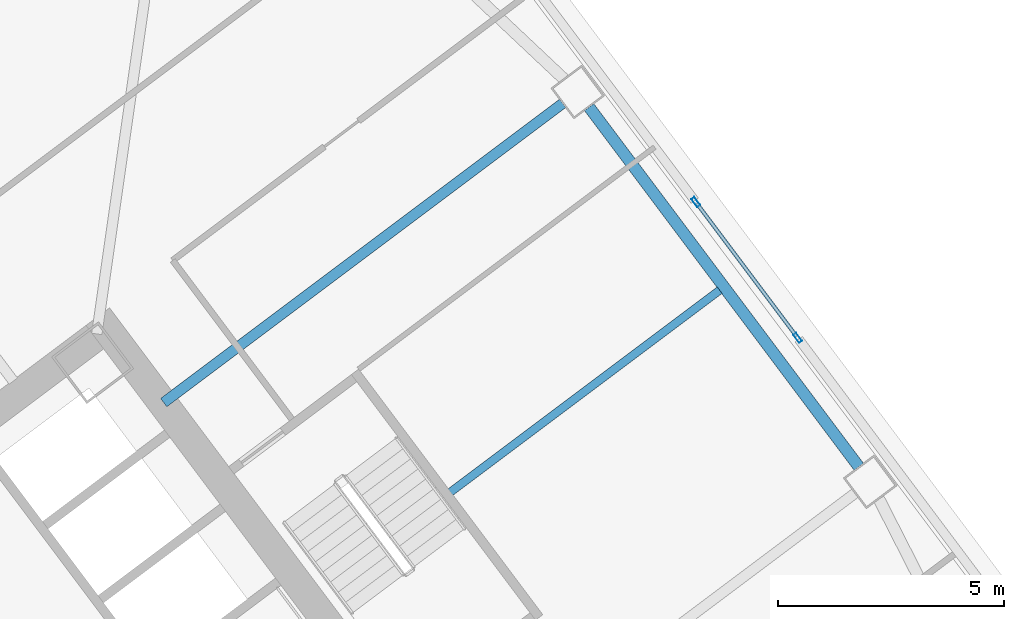
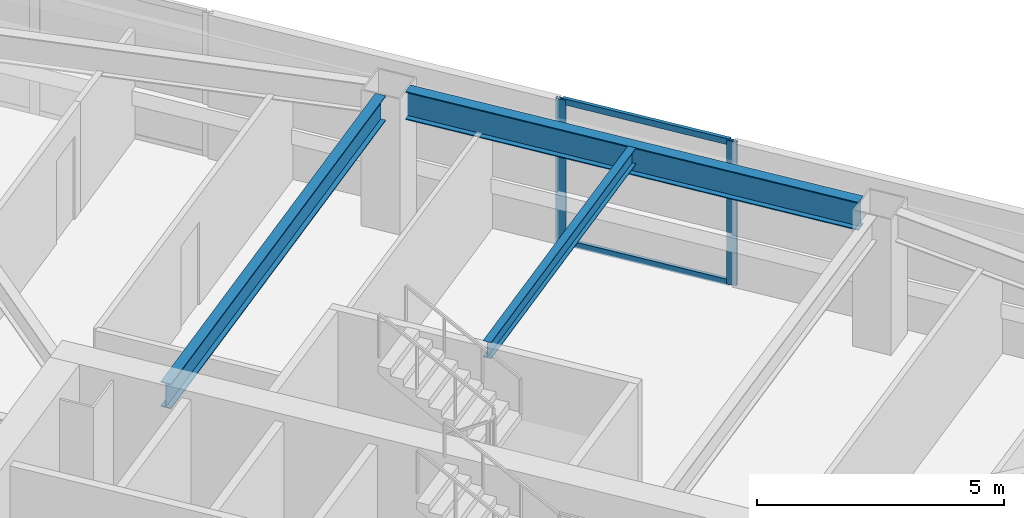
# One storey, part 29 of 44: 4 members, 3 beams, 1 element without a shape of its own.
"""IFC4 building model written with IfcOpenShell, lengths in metres."""

from ifc_helpers import new_model, si_unit, direction, frame, origin, origin_2d, place, context, subcontext, project, spatial, hollow_rectangle, i_section, extrude, material, material_profile, profile_set, type_object, element, aggregate, save


model = new_model("IFC4")

# Units and contexts
model_context = context("Model", 3, precision=1e-05, world=origin(), true_north=direction((0.0, 1.0)))
body_context = subcontext(model_context, "Body", "Model", "MODEL_VIEW")
ifc_project = project(units=[si_unit("LENGTHUNIT", "METRE"), si_unit("AREAUNIT", "SQUARE_METRE"), si_unit("VOLUMEUNIT", "CUBIC_METRE"), si_unit("PLANEANGLEUNIT", "RADIAN"), si_unit("MASSUNIT", "GRAM", prefix="KILO")], contexts=[model_context])

# Site, building, storey
site_placement = place(None, origin())
site = spatial("IfcSite", under=ifc_project, at=site_placement, CompositionType="ELEMENT")
building_placement = place(site_placement, origin())
building = spatial("IfcBuilding", under=site, at=building_placement, Name="Tashvorn Skyway Center", CompositionType="ELEMENT")
storey_placement = place(building_placement, frame((0.0, 0.0, 95.60009765625)))
storey = spatial("IfcBuildingStorey", under=building, at=storey_placement, Name="L25", CompositionType="ELEMENT", Elevation=95.60009765625)

# Beams
ifc_material_1 = material(Name="Steel ASTM A992 Grade 50", Category="steel")
ifc_material_profile_1 = material_profile(ifc_material_1, i_section(OverallWidth=0.22998046875, OverallDepth=0.616943359375, WebThickness=0.01318359375, FlangeThickness=0.022216796875, at=origin_2d()), Name="W24X94")
ifc_profile_set_1 = profile_set([ifc_material_profile_1], Name="Steel ASTM A992 Grade 50")
beam_type_1 = type_object("IfcBeamType", Name="BM-BEAM-W24X94", PredefinedType="BEAM", material=ifc_profile_set_1)
beam_1_placement = place(storey_placement, frame((125.823974609375, 47.617919921875, 3.04150390625), z_axis=(-0.800007953832, -0.599989394744, 0.0), x_axis=(0.599989394744, -0.800007953832, 0.0)))
element("IfcBeam", 1, at=beam_1_placement, inside=storey, type_object=beam_type_1, Name="Tower 2 L25 Primary Floor Girder FC-E2", PredefinedType="BEAM", context=body_context, shape_type="SweptSolid", body=[
    extrude(i_section(OverallWidth=0.22998046875, OverallDepth=0.616943359375, WebThickness=0.01318359375, FlangeThickness=0.022216796875, at=origin_2d()), origin(), (0.0, 0.0, 1.0), 11.050048828125),
])
ifc_material_profile_2 = material_profile(ifc_material_1, i_section(OverallWidth=0.177978515625, OverallDepth=0.406005859375, WebThickness=0.0078125, FlangeThickness=0.0126953125, at=origin_2d()), Name="W16X40")
ifc_profile_set_2 = profile_set([ifc_material_profile_2], Name="Steel ASTM A992 Grade 50")
beam_type_2 = type_object("IfcBeamType", Name="BM-JOIST-W16X40", PredefinedType="JOIST", material=ifc_profile_set_2)
beam_2_placement = place(storey_placement, frame((123.3359375, 39.001953125, 3.14697265625), z_axis=(0.799996072819, 0.600005236206, 0.0), x_axis=(-0.600005236206, 0.799996072819, 0.0)))
element("IfcBeam", 2, at=beam_2_placement, inside=storey, type_object=beam_type_2, Name="Tower 2 L25 Secondary Composite Joist JE", PredefinedType="JOIST", context=body_context, shape_type="SweptSolid", body=[
    extrude(i_section(OverallWidth=0.177978515625, OverallDepth=0.406005859375, WebThickness=0.0078125, FlangeThickness=0.0126953125, at=origin_2d()), origin(), (0.0, 0.0, 1.0), 7.4599609375),
])
ifc_material_profile_3 = material_profile(ifc_material_1, i_section(OverallWidth=0.256103515625, OverallDepth=0.693115234375, WebThickness=0.014404296875, FlangeThickness=0.023681640625, at=origin_2d()), Name="W27X114")
ifc_profile_set_3 = profile_set([ifc_material_profile_3], Name="Steel ASTM A992 Grade 50")
beam_type_3 = type_object("IfcBeamType", Name="BM-SPANDREL-W27X114", PredefinedType="SPANDREL", material=ifc_profile_set_3)
beam_3_placement = place(storey_placement, frame((132.387939453125, 39.56591796875, 3.00341796875), z_axis=(-0.599988234018, 0.800008824351, 0.0), x_axis=(-0.800008824351, -0.599988234018, 0.0)))
element("IfcBeam", 3, at=beam_3_placement, inside=storey, type_object=beam_type_3, Name="Tower 2 L25 Spandrel Beam 05", PredefinedType="SPANDREL", context=body_context, shape_type="SweptSolid", body=[
    extrude(i_section(OverallWidth=0.256103515625, OverallDepth=0.693115234375, WebThickness=0.014404296875, FlangeThickness=0.023681640625, at=origin_2d()), origin(), (0.0, 0.0, 1.0), 9.9599609375),
])

# Curtain wall, members
ifc_material_2 = material(Name="Thermally broken bronze-anodized aluminium 6063-T6", Category="aluminium")
curtain_wall_type = type_object("IfcCurtainWallType", Name="CW-CW-Z2", PredefinedType="NOTDEFINED", material=ifc_material_2)
curtain_wall_placement = place(storey_placement, origin())
curtain_wall = element("IfcCurtainWall", 4, at=curtain_wall_placement, inside=storey, type_object=curtain_wall_type, Name="Tower 2 L25 East Unitised Curtain Wall Glazing Group 2", PredefinedType="NOTDEFINED")
ifc_material_profile_4 = material_profile(ifc_material_2, hollow_rectangle(XDim=0.080078125, YDim=0.219970703125, WallThickness=0.0048828125, at=origin_2d()), Name="ALU-MULL-80x220")
ifc_profile_set_4 = profile_set([ifc_material_profile_4], Name="Thermally broken bronze-anodized aluminium 6063-T6")
member_type_1 = type_object("IfcMemberType", Name="CWM-CW-Z2", PredefinedType="MULLION", material=ifc_profile_set_4)
member_1_placement = place(storey_placement, frame((128.77587890625, 45.431884765625, 0.0), z_axis=(0.0, 0.0, 1.0), x_axis=(0.799999999998, 0.600000000002, 0.0)))
member_1 = element("IfcMember", 5, at=member_1_placement, type_object=member_type_1, Name="CW-Z2 mullion 1", PredefinedType="MULLION", context=body_context, shape_type="SweptSolid", body=[
    extrude(hollow_rectangle(XDim=0.080078125, YDim=0.219970703125, WallThickness=0.0048828125, at=origin_2d()), origin(), (0.0, 0.0, 1.0), 3.5498046875),
])
member_2_placement = place(storey_placement, frame((131.031982421875, 42.424072265625, 0.0), z_axis=(0.0, 0.0, 1.0), x_axis=(0.799999999998, 0.600000000002, 0.0)))
member_2 = element("IfcMember", 6, at=member_2_placement, type_object=member_type_1, Name="CW-Z2 mullion 2", PredefinedType="MULLION", context=body_context, shape_type="SweptSolid", body=[
    extrude(hollow_rectangle(XDim=0.080078125, YDim=0.219970703125, WallThickness=0.0048828125, at=origin_2d()), origin(), (0.0, 0.0, 1.0), 3.5498046875),
])
ifc_material_profile_5 = material_profile(ifc_material_2, hollow_rectangle(XDim=0.080078125, YDim=0.14990234375, WallThickness=0.00439453125, at=origin_2d()), Name="ALU-TRAN-80x150")
ifc_profile_set_5 = profile_set([ifc_material_profile_5], Name="Thermally broken bronze-anodized aluminium 6063-T6")
member_type_2 = type_object("IfcMemberType", Name="CWT-CW-Z2", PredefinedType="USERDEFINED", material=ifc_profile_set_5)
member_3_placement = place(storey_placement, frame((128.800048828125, 45.39990234375, 0.039794921875), z_axis=(0.600021230084, -0.799984076997, 0.0), x_axis=(0.799984076997, 0.600021230084, 0.0)))
member_3 = element("IfcMember", 7, at=member_3_placement, type_object=member_type_2, Name="CW-Z2 transom 1.1", ObjectType="TRANSOM", PredefinedType="USERDEFINED", context=body_context, shape_type="SweptSolid", body=[
    extrude(hollow_rectangle(XDim=0.080078125, YDim=0.14990234375, WallThickness=0.00439453125, at=origin_2d()), origin(), (0.0, 0.0, 1.0), 3.679931640625),
])
member_4_placement = place(storey_placement, frame((128.800048828125, 45.39990234375, 3.510009765625), z_axis=(0.600021230084, -0.799984076997, 0.0), x_axis=(0.799984076997, 0.600021230084, 0.0)))
member_4 = element("IfcMember", 8, at=member_4_placement, type_object=member_type_2, Name="CW-Z2 transom 1.2", ObjectType="TRANSOM", PredefinedType="USERDEFINED", context=body_context, shape_type="SweptSolid", body=[
    extrude(hollow_rectangle(XDim=0.080078125, YDim=0.14990234375, WallThickness=0.00439453125, at=origin_2d()), origin(), (0.0, 0.0, 1.0), 3.679931640625),
])
aggregate(curtain_wall, [member_1, member_2, member_3, member_4])

save(model, "model.ifc")
